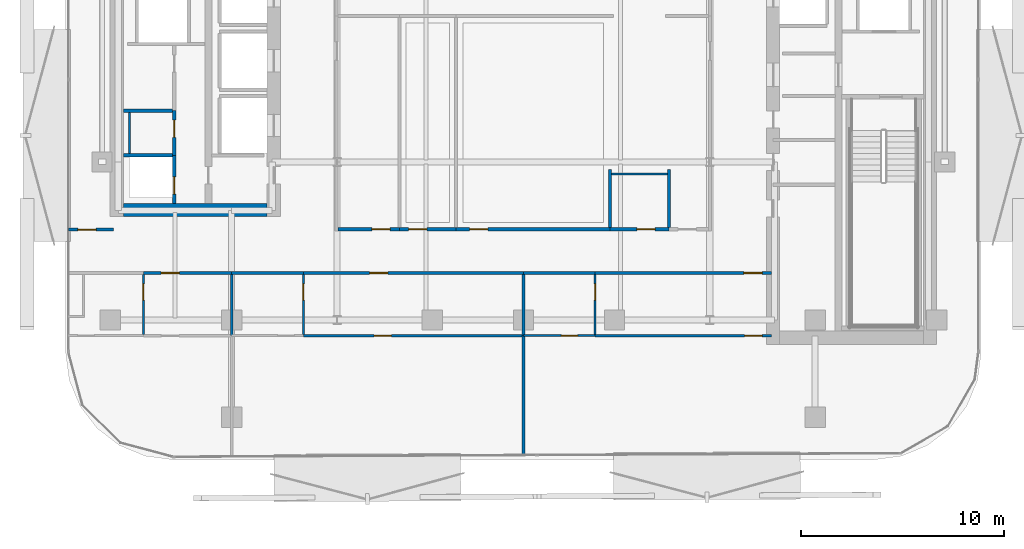
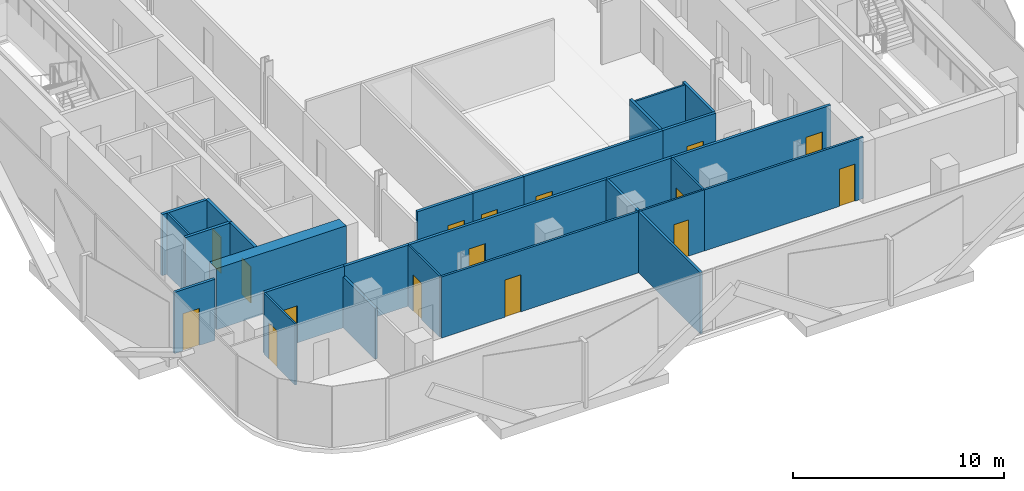
# One storey, part 3 of 17: 28 walls, 16 doors, 16 openings.
"""IFC4 building model written with IfcOpenShell, lengths in metres."""

import ifcopenshell
import ifcopenshell.guid

model = None  # the IFC model being written
_history = None  # IfcOwnerHistory: only IFC2X3 demands one
_inside = {}  # id of a spatial element -> (the spatial element, [elements in it])
_under = {}  # id of a project, library or spatial element -> (it, [spatial elements below it])
_declared = {}  # id of a project -> (the project, [libraries it declares])
_typed = {}  # id of a type object -> (the type object, [elements of that type])
_made_of = {}  # id of a material, layer set ... -> (it, [elements and type objects made of it])


def new_model(schema):
    """Start an empty IFC model of exactly this schema.

    Asked for "IFC4X3", IfcOpenShell would pick the latest addendum, in which some entities
    have other attributes; the version numbers below select the first issue.
    IFC2X3 requires an IfcOwnerHistory on every rooted entity: one is made here for all.
    """
    global model, _history
    if schema == "IFC4X3":
        model = ifcopenshell.file(schema_version=(4, 3, 0, 0))
    else:
        model = ifcopenshell.file(schema=schema)
    _inside.clear()
    _under.clear()
    _declared.clear()
    _typed.clear()
    _made_of.clear()
    _history = None
    if model.schema == "IFC2X3":
        org = make("IfcOrganization", Name="unknown")
        user = make(
            "IfcPersonAndOrganization",
            ThePerson=make("IfcPerson", FamilyName="unknown"),
            TheOrganization=org,
        )
        app = make(
            "IfcApplication",
            ApplicationDeveloper=org,
            Version="unknown",
            ApplicationFullName="unknown",
            ApplicationIdentifier="unknown",
        )
        _history = make(
            "IfcOwnerHistory",
            OwningUser=user,
            OwningApplication=app,
            ChangeAction="ADDED",
            CreationDate=0,
        )
    return model


def make(cls, **values):
    """One entity of the class cls with the attributes given. An attribute that is None is left unset."""
    return model.create_entity(
        cls, **{name: value for name, value in values.items() if value is not None}
    )


def rooted(cls, **values):
    """An entity with a GlobalId (a new one), such as an element, a storey or a relation."""
    return make(cls, GlobalId=ifcopenshell.guid.new(), OwnerHistory=_history, **values)


def si_unit(unit_type, name, prefix=None):
    """IfcSIUnit, for example si_unit("LENGTHUNIT", "METRE", prefix="MILLI")."""
    return make("IfcSIUnit", UnitType=unit_type, Prefix=prefix, Name=name)


def assignment(units):
    """IfcUnitAssignment: the units of a project."""
    return None if units is None else make("IfcUnitAssignment", Units=units)


def point(xyz):
    """IfcCartesianPoint."""
    return None if xyz is None else make("IfcCartesianPoint", Coordinates=xyz)


def direction(xyz):
    """IfcDirection."""
    return None if xyz is None else make("IfcDirection", DirectionRatios=xyz)


def frame(location, z_axis=None, x_axis=None):
    """IfcAxis2Placement3D, a coordinate frame: its origin and axes. An axis left out is left unset."""
    return make(
        "IfcAxis2Placement3D",
        Location=point(location),
        Axis=direction(z_axis),
        RefDirection=direction(x_axis),
    )


def frame_2d(location, x_axis=None):
    """IfcAxis2Placement2D, a coordinate frame in the plane: its origin and x axis."""
    return make(
        "IfcAxis2Placement2D", Location=point(location), RefDirection=direction(x_axis)
    )


def origin():
    """The frame at (0, 0, 0) with its axes left unset."""
    return frame((0.0, 0.0, 0.0))


def place(relative_to, where):
    """IfcLocalPlacement: puts the frame where relative to a parent placement (None: the world)."""
    return make(
        "IfcLocalPlacement", PlacementRelTo=relative_to, RelativePlacement=where
    )


def context(
    kind, dimensions, precision=None, world=None, true_north=None, identifier=None
):
    """IfcGeometricRepresentationContext, for example the 3D "Model" context."""
    return make(
        "IfcGeometricRepresentationContext",
        ContextIdentifier=identifier,
        ContextType=kind,
        CoordinateSpaceDimension=dimensions,
        Precision=precision,
        WorldCoordinateSystem=world,
        TrueNorth=true_north,
    )


def subcontext(parent, identifier, kind, view, scale=None):
    """IfcGeometricRepresentationSubContext, for example "Body" below "Model"."""
    return make(
        "IfcGeometricRepresentationSubContext",
        ContextIdentifier=identifier,
        ContextType=kind,
        ParentContext=parent,
        TargetScale=scale,
        TargetView=view,
    )


def project(units=None, contexts=None):
    """IfcProject with its units and contexts."""
    return rooted(
        "IfcProject",
        Name="project",
        RepresentationContexts=contexts,
        UnitsInContext=assignment(units),
    )


def spatial(cls, under=None, at=None, **own):
    """A site, building, storey or space (cls), placed at a placement, below another one or the project."""
    s = rooted(cls, ObjectPlacement=at, **own)
    if under is not None:
        _under.setdefault(under.id(), (under, []))[1].append(s)
    return s


def profile(cls, at=None, kind="AREA", **sizes):
    """A parametric profile (cls). Its sizes go by their IFC names, for example OverallWidth=200.0."""
    return make(cls, ProfileType=kind, Position=at, **sizes)


def rectangle(**sizes):
    """IfcRectangleProfileDef."""
    return profile("IfcRectangleProfileDef", **sizes)


def extrude(swept, where, along, depth):
    """IfcExtrudedAreaSolid: the profile swept, set in the frame where, extruded along a direction by depth."""
    return make(
        "IfcExtrudedAreaSolid",
        SweptArea=swept,
        Position=where,
        ExtrudedDirection=direction(along),
        Depth=depth,
    )


def shape(context_of_items, identifier, shape_type, items):
    """IfcShapeRepresentation: the items that make up one representation, for example the "Body"."""
    return make(
        "IfcShapeRepresentation",
        ContextOfItems=context_of_items,
        RepresentationIdentifier=identifier,
        RepresentationType=shape_type,
        Items=items,
    )


def material(Name=None, Category=None):
    """IfcMaterial."""
    return make("IfcMaterial", Name=Name, Category=Category)


def layer(
    of_material, thickness, ventilated=None, Name=None, Category=None, Priority=None
):
    """IfcMaterialLayer: one layer of a wall or slab, of a material (None: an air gap)."""
    return make(
        "IfcMaterialLayer",
        Material=of_material,
        LayerThickness=thickness,
        IsVentilated=ventilated,
        Name=Name,
        Category=Category,
        Priority=Priority,
    )


def layer_set(layers, Name=None):
    """IfcMaterialLayerSet."""
    return make("IfcMaterialLayerSet", MaterialLayers=layers, LayerSetName=Name)


def made_of(thing, what):
    """Note that an element or type object is made of a material, layer set ...; save() writes the relation."""
    if what is not None:
        _made_of.setdefault(what.id(), (what, []))[1].append(thing)
    return thing


def type_object(cls, material=None, **own):
    """A type object (cls), such as IfcWallType, which elements share."""
    return made_of(rooted(cls, **own), material)


def element(
    cls,
    number,
    at=None,
    inside=None,
    cuts=None,
    type_object=None,
    material=None,
    context=None,
    identifier="Body",
    shape_type=None,
    held_by="IfcProductDefinitionShape",
    body=None,
    shapes=None,
    **own,
):
    """One element of the class cls, such as IfcWall. Its Tag is "e" and its number.

    at: its placement. inside: the storey or other place that contains it. cuts: it is an
    opening in that element (IfcRelVoidsElement). A single representation is given by context,
    identifier, shape_type and body (its items); several are given by shapes. held_by: the class
    of the entity that holds the representations. save() writes the other relations.
    """
    e = rooted(cls, Tag="e%d" % number, ObjectPlacement=at, **own)
    if body is not None:
        shapes = [shape(context, identifier, shape_type, body)]
    if shapes is not None:
        e.Representation = make(held_by, Representations=shapes)
    if inside is not None:
        _inside.setdefault(inside.id(), (inside, []))[1].append(e)
    if cuts is not None:
        rooted(
            "IfcRelVoidsElement", RelatingBuildingElement=cuts, RelatedOpeningElement=e
        )
    if type_object is not None:
        _typed.setdefault(type_object.id(), (type_object, []))[1].append(e)
    return made_of(e, material)


def fill(opening, filler):
    """IfcRelFillsElement: the door or window that sits in an opening."""
    return rooted(
        "IfcRelFillsElement",
        RelatingOpeningElement=opening,
        RelatedBuildingElement=filler,
    )


def aggregate(whole, parts):
    """IfcRelAggregates: a whole, such as a stair, and the parts it consists of."""
    return rooted("IfcRelAggregates", RelatingObject=whole, RelatedObjects=parts)


def save(model, path):
    """Write the relations noted so far, then the file.

    IfcRelAggregates (storeys below a building ...), IfcRelContainedInSpatialStructure (elements
    in a storey), IfcRelDefinesByType, IfcRelAssociatesMaterial and IfcRelDeclares: one each for
    every whole, place, type object, material and project.
    """
    for whole, parts in _under.values():
        aggregate(whole, parts)
    for where, things in _inside.values():
        rooted(
            "IfcRelContainedInSpatialStructure",
            RelatedElements=things,
            RelatingStructure=where,
        )
    for kind, things in _typed.values():
        rooted("IfcRelDefinesByType", RelatedObjects=things, RelatingType=kind)
    for what, things in _made_of.values():
        rooted("IfcRelAssociatesMaterial", RelatedObjects=things, RelatingMaterial=what)
    for by, libraries in _declared.values():
        rooted("IfcRelDeclares", RelatingContext=by, RelatedDefinitions=libraries)
    model.write(path)


model = new_model("IFC4")

# Units and contexts
model_context = context("Model", 3, precision=1e-05, world=origin(), true_north=direction((0.0, 1.0)))
body_context = subcontext(model_context, "Body", "Model", "MODEL_VIEW")
ifc_project = project(units=[si_unit("LENGTHUNIT", "METRE"), si_unit("AREAUNIT", "SQUARE_METRE"), si_unit("VOLUMEUNIT", "CUBIC_METRE"), si_unit("PLANEANGLEUNIT", "RADIAN"), si_unit("MASSUNIT", "GRAM", prefix="KILO")], contexts=[model_context])

# Site, building, storey
site_placement = place(None, origin())
site = spatial("IfcSite", under=ifc_project, at=site_placement, CompositionType="ELEMENT")
building_placement = place(site_placement, origin())
building = spatial("IfcBuilding", under=site, at=building_placement, Name="Khairoan Windgate Tower", CompositionType="ELEMENT")
storey_placement = place(building_placement, frame((0.0, 0.0, 168.800048828125)))
storey = spatial("IfcBuildingStorey", under=building, at=storey_placement, Name="L38", CompositionType="ELEMENT", Elevation=168.800048828125)

# Wall, opening, door
ifc_material_1 = material(Name="Moisture-Resistant Gypsum Partition", Category="gypsum")
ifc_layer_1 = layer(ifc_material_1, 0.10009765625, Name="Moisture-Resistant Gypsum Partition")
ifc_layer_set_1 = layer_set([ifc_layer_1], Name="Moisture-Resistant Gypsum Partition")
wall_type_1 = type_object("IfcWallType", Name="Bathroom Wet-Area Partition Wall", PredefinedType="PARTITIONING", material=ifc_layer_set_1)
wall_1_placement = place(storey_placement, frame((-18.763916015625, -19.320068359375, 0.0), z_axis=(0.0, 0.0, 1.0), x_axis=(0.0, 1.0, 0.0)))
wall_1 = element("IfcWall", 1, at=wall_1_placement, inside=storey, type_object=wall_type_1, Name="L38 Interior Partition 075", PredefinedType="PARTITIONING", context=body_context, shape_type="SweptSolid", body=[
    extrude(rectangle(XDim=2.965087890625, YDim=0.10009765625, at=frame_2d((1.482421875, 0.0))), origin(), (0.0, 0.0, 1.0), 3.5400390625),
])
opening_1_placement = place(wall_1_placement, frame((1.705078125, 0.0, 0.0)))
opening_1 = element("IfcOpeningElement", 2, at=opening_1_placement, cuts=wall_1, Name="Opening ID-BTH", PredefinedType="OPENING", context=body_context, shape_type="SweptSolid", body=[
    extrude(rectangle(XDim=0.800048828125, YDim=2.10009765625, at=frame_2d((0.39990234375, 1.050048828125))), frame((0.0, 0.06005859375, 0.0), z_axis=(0.0, -1.0, 0.0), x_axis=(1.0, 0.0, 0.0)), (0.0, 0.0, 1.0), 0.1201171875),
])
ifc_material_2 = material(Name="Teak Veneer Timber Leaf", Category="wood")
door_type_1 = type_object("IfcDoorType", Name="Internal Bathroom Door ID-BTH 800x2100", OperationType="NOTDEFINED", PredefinedType="DOOR", material=ifc_material_2)
door_1_placement = place(opening_1_placement, origin())
door_1 = element("IfcDoor", 3, at=door_1_placement, inside=storey, type_object=door_type_1, Name="L38 L38-55-L38-56 Door", OperationType="SINGLE_SWING_LEFT", OverallHeight=2.10009765625, OverallWidth=0.800048828125, PredefinedType="DOOR", context=body_context, shape_type="SweptSolid", body=[
    extrude(rectangle(XDim=0.800048828125, YDim=2.10009765625, at=frame_2d((0.39990234375, 1.050048828125))), frame((0.0, 0.02490234375, 0.0), z_axis=(0.0, -1.0, 0.0), x_axis=(1.0, 0.0, 0.0)), (0.0, 0.0, 1.0), 0.050048828125),
])
fill(opening_1, door_1)

wall_2_placement = place(storey_placement, frame((-10.860107421875, -19.320068359375, 0.0), z_axis=(0.0, 0.0, 1.0), x_axis=(0.0, 1.0, 0.0)))
wall_2 = element("IfcWall", 4, at=wall_2_placement, inside=storey, type_object=wall_type_1, Name="L38 Interior Partition 080", PredefinedType="PARTITIONING", context=body_context, shape_type="SweptSolid", body=[
    extrude(rectangle(XDim=2.965087890625, YDim=0.10009765625, at=frame_2d((1.482421875, 0.0))), origin(), (0.0, 0.0, 1.0), 3.5400390625),
])
opening_2_placement = place(wall_2_placement, frame((1.705078125, 0.0, 0.0)))
opening_2 = element("IfcOpeningElement", 5, at=opening_2_placement, cuts=wall_2, Name="Opening ID-BTH", PredefinedType="OPENING", context=body_context, shape_type="SweptSolid", body=[
    extrude(rectangle(XDim=0.800048828125, YDim=2.10009765625, at=frame_2d((0.39990234375, 1.050048828125))), frame((0.0, 0.06005859375, 0.0), z_axis=(0.0, -1.0, 0.0), x_axis=(1.0, 0.0, 0.0)), (0.0, 0.0, 1.0), 0.1201171875),
])
door_2_placement = place(opening_2_placement, origin())
door_2 = element("IfcDoor", 6, at=door_2_placement, inside=storey, type_object=door_type_1, Name="L38 L38-58-L38-59 Door", OperationType="SINGLE_SWING_RIGHT", OverallHeight=2.10009765625, OverallWidth=0.800048828125, PredefinedType="DOOR", context=body_context, shape_type="SweptSolid", body=[
    extrude(rectangle(XDim=0.800048828125, YDim=2.10009765625, at=frame_2d((0.39990234375, 1.050048828125))), frame((0.0, 0.02490234375, 0.0), z_axis=(0.0, -1.0, 0.0), x_axis=(1.0, 0.0, 0.0)), (0.0, 0.0, 1.0), 0.050048828125),
])
fill(opening_2, door_2)

wall_3_placement = place(storey_placement, frame((3.5400390625, -19.320068359375, 0.0), z_axis=(0.0, 0.0, 1.0), x_axis=(0.0, 1.0, 0.0)))
wall_3 = element("IfcWall", 7, at=wall_3_placement, inside=storey, type_object=wall_type_1, Name="L38 Interior Partition 085", PredefinedType="PARTITIONING", context=body_context, shape_type="SweptSolid", body=[
    extrude(rectangle(XDim=2.965087890625, YDim=0.10009765625, at=frame_2d((1.482421875, 0.0))), origin(), (0.0, 0.0, 1.0), 3.5400390625),
])
opening_3_placement = place(wall_3_placement, frame((1.705078125, 0.0, 0.0)))
opening_3 = element("IfcOpeningElement", 8, at=opening_3_placement, cuts=wall_3, Name="Opening ID-BTH", PredefinedType="OPENING", context=body_context, shape_type="SweptSolid", body=[
    extrude(rectangle(XDim=0.800048828125, YDim=2.10009765625, at=frame_2d((0.39990234375, 1.050048828125))), frame((0.0, 0.06005859375, 0.0), z_axis=(0.0, -1.0, 0.0), x_axis=(1.0, 0.0, 0.0)), (0.0, 0.0, 1.0), 0.1201171875),
])
door_3_placement = place(opening_3_placement, origin())
door_3 = element("IfcDoor", 9, at=door_3_placement, inside=storey, type_object=door_type_1, Name="L38 L38-61-L38-62 Door", OperationType="SINGLE_SWING_LEFT", OverallHeight=2.10009765625, OverallWidth=0.800048828125, PredefinedType="DOOR", context=body_context, shape_type="SweptSolid", body=[
    extrude(rectangle(XDim=0.800048828125, YDim=2.10009765625, at=frame_2d((0.39990234375, 1.050048828125))), frame((0.0, 0.02490234375, 0.0), z_axis=(0.0, -1.0, 0.0), x_axis=(1.0, 0.0, 0.0)), (0.0, 0.0, 1.0), 0.050048828125),
])
fill(opening_3, door_3)

wall_4_placement = place(storey_placement, frame((0.0, -19.3701171875, 0.0), z_axis=(0.0, 0.0, 1.0), x_axis=(1.0, 0.0, 0.0)))
wall_4 = element("IfcWall", 10, at=wall_4_placement, inside=storey, type_object=wall_type_1, Name="L38 Interior Partition 086", PredefinedType="PARTITIONING", context=body_context, shape_type="SweptSolid", body=[
    extrude(rectangle(XDim=3.5400390625, YDim=0.10009765625, at=frame_2d((1.77001953125, 0.0))), origin(), (0.0, 0.0, 1.0), 3.5400390625),
])
opening_4_placement = place(wall_4_placement, frame((1.87548828125, 0.0, 0.0)))
opening_4 = element("IfcOpeningElement", 11, at=opening_4_placement, cuts=wall_4, Name="Opening ID-BTH", PredefinedType="OPENING", context=body_context, shape_type="SweptSolid", body=[
    extrude(rectangle(XDim=0.800048828125, YDim=2.10009765625, at=frame_2d((0.39990234375, 1.050048828125))), frame((0.0, 0.06005859375, 0.0), z_axis=(0.0, -1.0, 0.0), x_axis=(1.0, 0.0, 0.0)), (0.0, 0.0, 1.0), 0.1201171875),
])
door_4_placement = place(opening_4_placement, origin())
door_4 = element("IfcDoor", 12, at=door_4_placement, inside=storey, type_object=door_type_1, Name="L38 L38-61-L38-63 Door", OperationType="SINGLE_SWING_RIGHT", OverallHeight=2.10009765625, OverallWidth=0.800048828125, PredefinedType="DOOR", context=body_context, shape_type="SweptSolid", body=[
    extrude(rectangle(XDim=0.800048828125, YDim=2.10009765625, at=frame_2d((0.39990234375, 1.050048828125))), frame((0.0, 0.02490234375, 0.0), z_axis=(0.0, -1.0, 0.0), x_axis=(1.0, 0.0, 0.0)), (0.0, 0.0, 1.0), 0.050048828125),
])
fill(opening_4, door_4)

# Walls
wall_5_placement = place(storey_placement, frame((-19.449951171875, -10.389892578125, 0.0), z_axis=(0.0, 0.0, 1.0), x_axis=(0.0, 1.0, 0.0)))
element("IfcWall", 13, at=wall_5_placement, inside=storey, type_object=wall_type_1, Name="L38 Wet Room Side Wall 089", PredefinedType="PARTITIONING", context=body_context, shape_type="SweptSolid", body=[
    extrude(rectangle(XDim=2.039794921875, YDim=0.10009765625, at=frame_2d((1.02001953125, 0.0))), origin(), (0.0, 0.0, 1.0), 3.5400390625),
])
wall_6_placement = place(storey_placement, frame((4.35009765625, -11.39990234375, 0.0), z_axis=(0.0, 0.0, 1.0), x_axis=(1.0, 0.0, 0.0)))
element("IfcWall", 14, at=wall_6_placement, inside=storey, type_object=wall_type_1, Name="L38 Wet Room Side Wall 091", PredefinedType="PARTITIONING", context=body_context, shape_type="SweptSolid", body=[
    extrude(rectangle(XDim=2.760009765625, YDim=0.10009765625, at=frame_2d((1.3798828125, 0.0))), origin(), (0.0, 0.0, 1.0), 3.5400390625),
])
ifc_material_3 = material(Name="Acoustic Fire-Rated Gypsum Partition", Category="gypsum")
ifc_layer_2 = layer(ifc_material_3, 0.139892578125, Name="Acoustic Fire-Rated Gypsum Partition")
ifc_layer_set_2 = layer_set([ifc_layer_2], Name="Acoustic Fire-Rated Gypsum Partition")
wall_type_2 = type_object("IfcWallType", Name="Inter-Tenancy Compartment Wall", PredefinedType="PARTITIONING", material=ifc_layer_set_2)
for number, where, z_axis, x_axis, name in (
    (15, (4.280029296875, -14.044921875, 0.0), (0.0, 0.0, 1.0), (0.0, 1.0, 0.0), "L38 Interior Partition 048"),
    (16, (7.179931640625, -14.044921875, 0.0), (0.0, 0.0, 1.0), (0.0, 1.0, 0.0), "L38 Interior Partition 050"),
):
    element("IfcWall", number, at=place(storey_placement, frame(where, z_axis=z_axis, x_axis=x_axis)), inside=storey, type_object=wall_type_2, Name=name, PredefinedType="PARTITIONING", context=body_context, shape_type="SweptSolid", body=[
        extrude(rectangle(XDim=2.885009765625, YDim=0.139892578125, at=frame_2d((1.4423828125, 0.0))), origin(), (0.0, 0.0, 1.0), 3.5400390625),
    ])
wall_7_placement = place(storey_placement, frame((-14.39990234375, -19.3701171875, 0.0), z_axis=(0.0, 0.0, 1.0), x_axis=(0.0, 1.0, 0.0)))
element("IfcWall", 17, at=wall_7_placement, inside=storey, type_object=wall_type_2, Name="L38 Interior Partition 078", PredefinedType="PARTITIONING", context=body_context, shape_type="SweptSolid", body=[
    extrude(rectangle(XDim=3.01513671875, YDim=0.139892578125, at=frame_2d((1.507568359375, 0.0))), origin(), (0.0, 0.0, 1.0), 2.951904296875),
])
wall_8_placement = place(storey_placement, frame((0.0, -19.3701171875, 0.0), z_axis=(0.0, 0.0, 1.0), x_axis=(0.0, 1.0, 0.0)))
element("IfcWall", 18, at=wall_8_placement, inside=storey, type_object=wall_type_2, Name="L38 Interior Partition 083", PredefinedType="PARTITIONING", context=body_context, shape_type="SweptSolid", body=[
    extrude(rectangle(XDim=3.01513671875, YDim=0.139892578125, at=frame_2d((1.507568359375, 0.0))), origin(), (0.0, 0.0, 1.0), 3.5400390625),
])
wall_9_placement = place(storey_placement, frame((0.0, -25.269775390625, 0.0), z_axis=(0.0, 0.0, 1.0), x_axis=(0.0, 1.0, 0.0)))
element("IfcWall", 19, at=wall_9_placement, inside=storey, type_object=wall_type_2, Name="L38 Interior Partition 084", PredefinedType="PARTITIONING", context=body_context, shape_type="SweptSolid", body=[
    extrude(rectangle(XDim=5.899658203125, YDim=0.139892578125, at=frame_2d((2.94970703125, 0.0))), origin(), (0.0, 0.0, 1.0), 3.5400390625),
])

# Wall, opening, door
ifc_material_4 = material(Name="Gypsum Stud Partition", Category="gypsum")
ifc_layer_3 = layer(ifc_material_4, 0.1201171875, Name="Gypsum Stud Partition")
ifc_layer_set_3 = layer_set([ifc_layer_3], Name="Gypsum Stud Partition")
wall_type_3 = type_object("IfcWallType", Name="Internal Room Partition Wall", PredefinedType="PARTITIONING", material=ifc_layer_set_3)
wall_10_placement = place(storey_placement, frame((-10.860107421875, -19.3701171875, 0.0), z_axis=(0.0, 0.0, 1.0), x_axis=(1.0, 0.0, 0.0)))
wall_10 = element("IfcWall", 20, at=wall_10_placement, inside=storey, type_object=wall_type_3, Name="L38 Interior Partition 082", PredefinedType="PARTITIONING", context=body_context, shape_type="SweptSolid", body=[
    extrude(rectangle(XDim=10.860107421875, YDim=0.1201171875, at=frame_2d((5.43017578125, 0.0))), origin(), (0.0, 0.0, 1.0), 3.5400390625),
])
opening_5_placement = place(wall_10_placement, frame((3.48681640625, 0.0, 0.0)))
opening_5 = element("IfcOpeningElement", 21, at=opening_5_placement, cuts=wall_10, Name="Opening ID-RM", PredefinedType="OPENING", context=body_context, shape_type="SweptSolid", body=[
    extrude(rectangle(XDim=0.860107421875, YDim=2.14990234375, at=frame_2d((0.43017578125, 1.074951171875))), frame((0.0, 0.070068359375, 0.0), z_axis=(0.0, -1.0, 0.0), x_axis=(1.0, 0.0, 0.0)), (0.0, 0.0, 1.0), 0.14013671875),
])
ifc_material_5 = material(Name="Teak Veneer Timber Leaf", Category="wood")
door_type_2 = type_object("IfcDoorType", Name="Internal Bedroom and Office Door ID-RM 860x2150", OperationType="NOTDEFINED", PredefinedType="DOOR", material=ifc_material_5)
door_5_placement = place(opening_5_placement, origin())
door_5 = element("IfcDoor", 22, at=door_5_placement, inside=storey, type_object=door_type_2, Name="L38 L38-59-L38-60 Door", OperationType="SINGLE_SWING_RIGHT", OverallHeight=2.14990234375, OverallWidth=0.860107421875, PredefinedType="DOOR", context=body_context, shape_type="SweptSolid", body=[
    extrude(rectangle(XDim=0.860107421875, YDim=2.14990234375, at=frame_2d((0.43017578125, 1.074951171875))), frame((0.0, 0.02490234375, 0.0), z_axis=(0.0, -1.0, 0.0), x_axis=(1.0, 0.0, 0.0)), (0.0, 0.0, 1.0), 0.050048828125),
])
fill(opening_5, door_5)

wall_11_placement = place(storey_placement, frame((3.5400390625, -19.3701171875, 0.0), z_axis=(0.0, 0.0, 1.0), x_axis=(1.0, 0.0, 0.0)))
wall_11 = element("IfcWall", 23, at=wall_11_placement, inside=storey, type_object=wall_type_3, Name="L38 Interior Partition 087", PredefinedType="PARTITIONING", context=body_context, shape_type="SweptSolid", body=[
    extrude(rectangle(XDim=8.699951171875, YDim=0.1201171875, at=frame_2d((4.35009765625, 0.0))), origin(), (0.0, 0.0, 1.0), 3.5400390625),
])
opening_6_placement = place(wall_11_placement, frame((7.3798828125, 0.0, 0.0)))
opening_6 = element("IfcOpeningElement", 24, at=opening_6_placement, cuts=wall_11, Name="Opening ID-RM", PredefinedType="OPENING", context=body_context, shape_type="SweptSolid", body=[
    extrude(rectangle(XDim=0.860107421875, YDim=2.14990234375, at=frame_2d((0.43017578125, 1.074951171875))), frame((0.0, 0.070068359375, 0.0), z_axis=(0.0, -1.0, 0.0), x_axis=(1.0, 0.0, 0.0)), (0.0, 0.0, 1.0), 0.14013671875),
])
door_6_placement = place(opening_6_placement, origin())
door_6 = element("IfcDoor", 25, at=door_6_placement, inside=storey, type_object=door_type_2, Name="L38 L38-62-L38-63 Door", OperationType="SINGLE_SWING_LEFT", OverallHeight=2.14990234375, OverallWidth=0.860107421875, PredefinedType="DOOR", context=body_context, shape_type="SweptSolid", body=[
    extrude(rectangle(XDim=0.860107421875, YDim=2.14990234375, at=frame_2d((0.43017578125, 1.074951171875))), frame((0.0, 0.02490234375, 0.0), z_axis=(0.0, -1.0, 0.0), x_axis=(1.0, 0.0, 0.0)), (0.0, 0.0, 1.0), 0.050048828125),
])
fill(opening_6, door_6)

ifc_material_6 = material(Name="Concrete C40/50", Category="concrete")
ifc_layer_4 = layer(ifc_material_6, 0.159912109375, Name="Concrete C40/50")
ifc_layer_set_4 = layer_set([ifc_layer_4], Name="Concrete C40/50")
wall_type_4 = type_object("IfcWallType", Name="Plant and Refuge Compartment Wall", PredefinedType="PARTITIONING", material=ifc_layer_set_4)
wall_12_placement = place(storey_placement, frame((-17.22998046875, -12.85009765625, 0.0), z_axis=(0.0, 0.0, 1.0), x_axis=(0.0, 1.0, 0.0)))
wall_12 = element("IfcWall", 26, at=wall_12_placement, inside=storey, type_object=wall_type_4, Name="L38 Interior Partition 001", PredefinedType="PARTITIONING", context=body_context, shape_type="SweptSolid", body=[
    extrude(rectangle(XDim=2.380126953125, YDim=0.159912109375, at=frame_2d((1.18994140625, 0.0))), origin(), (0.0, 0.0, 1.0), 3.5400390625),
])
opening_7_placement = place(wall_12_placement, frame((0.4599609375, 0.0, 0.0)))
opening_7 = element("IfcOpeningElement", 27, at=opening_7_placement, cuts=wall_12, Name="Opening FD-SRV", PredefinedType="OPENING", context=body_context, shape_type="SweptSolid", body=[
    extrude(rectangle(XDim=0.85009765625, YDim=2.10009765625, at=frame_2d((0.425048828125, 1.050048828125))), frame((0.0, 0.08984375, 0.0), z_axis=(0.0, -1.0, 0.0), x_axis=(1.0, 0.0, 0.0)), (0.0, 0.0, 1.0), 0.179931640625),
])
ifc_material_7 = material(Name="Steel S355", Category="steel")
door_type_3 = type_object("IfcDoorType", Name="Core Service and Riser Fire Door FD-SRV 850x2100", OperationType="NOTDEFINED", PredefinedType="DOOR", material=ifc_material_7)
door_7_placement = place(opening_7_placement, origin())
door_7 = element("IfcDoor", 28, at=door_7_placement, inside=storey, type_object=door_type_3, Name="L38 L38-04-L38-05 Door", OperationType="SINGLE_SWING_RIGHT", OverallHeight=2.10009765625, OverallWidth=0.85009765625, PredefinedType="DOOR", context=body_context, shape_type="SweptSolid", body=[
    extrude(rectangle(XDim=0.85009765625, YDim=2.10009765625, at=frame_2d((0.425048828125, 1.050048828125))), frame((0.0, 0.02490234375, 0.0), z_axis=(0.0, -1.0, 0.0), x_axis=(1.0, 0.0, 0.0)), (0.0, 0.0, 1.0), 0.050048828125),
])
fill(opening_7, door_7)

wall_13_placement = place(storey_placement, frame((-17.22998046875, -10.469970703125, 0.0), z_axis=(0.0, 0.0, 1.0), x_axis=(0.0, 1.0, 0.0)))
wall_13 = element("IfcWall", 29, at=wall_13_placement, inside=storey, type_object=wall_type_4, Name="L38 Interior Partition 002", PredefinedType="PARTITIONING", context=body_context, shape_type="SweptSolid", body=[
    extrude(rectangle(XDim=2.199951171875, YDim=0.159912109375, at=frame_2d((1.10009765625, 0.0))), origin(), (0.0, 0.0, 1.0), 3.5400390625),
])
opening_8_placement = place(wall_13_placement, frame((0.889892578125, 0.0, 0.0)))
opening_8 = element("IfcOpeningElement", 30, at=opening_8_placement, cuts=wall_13, Name="Opening FD-SRV", PredefinedType="OPENING", context=body_context, shape_type="SweptSolid", body=[
    extrude(rectangle(XDim=0.85009765625, YDim=2.10009765625, at=frame_2d((0.425048828125, 1.050048828125))), frame((0.0, 0.08984375, 0.0), z_axis=(0.0, -1.0, 0.0), x_axis=(1.0, 0.0, 0.0)), (0.0, 0.0, 1.0), 0.179931640625),
])
door_8_placement = place(opening_8_placement, origin())
door_8 = element("IfcDoor", 31, at=door_8_placement, inside=storey, type_object=door_type_3, Name="L38 L38-04-L38-06 Door", OperationType="SINGLE_SWING_LEFT", OverallHeight=2.10009765625, OverallWidth=0.85009765625, PredefinedType="DOOR", context=body_context, shape_type="SweptSolid", body=[
    extrude(rectangle(XDim=0.85009765625, YDim=2.10009765625, at=frame_2d((0.425048828125, 1.050048828125))), frame((0.0, 0.02490234375, 0.0), z_axis=(0.0, -1.0, 0.0), x_axis=(1.0, 0.0, 0.0)), (0.0, 0.0, 1.0), 0.050048828125),
])
fill(opening_8, door_8)

# Walls
for number, where, z_axis, x_axis, name in (
    (32, (-19.75, -10.469970703125, 0.0), (0.0, 0.0, 1.0), (1.0, 0.0, 0.0), "L38 Interior Partition 004"),
    (33, (-19.75, -8.27001953125, 0.0), (0.0, 0.0, 1.0), (1.0, 0.0, 0.0), "L38 Interior Partition 005"),
):
    element("IfcWall", number, at=place(storey_placement, frame(where, z_axis=z_axis, x_axis=x_axis)), inside=storey, type_object=wall_type_4, Name=name, PredefinedType="PARTITIONING", context=body_context, shape_type="SweptSolid", body=[
        extrude(rectangle(XDim=2.43994140625, YDim=0.159912109375, at=frame_2d((1.219970703125, 0.0))), origin(), (0.0, 0.0, 1.0), 3.5400390625),
    ])

# Wall, opening, door
ifc_material_8 = material(Name="Acoustic Fire-Rated Gypsum Partition", Category="gypsum")
ifc_layer_5 = layer(ifc_material_8, 0.14990234375, Name="Acoustic Fire-Rated Gypsum Partition")
ifc_layer_set_5 = layer_set([ifc_layer_5], Name="Acoustic Fire-Rated Gypsum Partition")
wall_type_5 = type_object("IfcWallType", Name="Rated Corridor Partition Wall", PredefinedType="PARTITIONING", material=ifc_layer_set_5)
wall_14_placement = place(storey_placement, frame((-9.14501953125, -14.1201171875, 0.0), z_axis=(0.0, 0.0, 1.0), x_axis=(1.0, 0.0, 0.0)))
wall_14 = element("IfcWall", 34, at=wall_14_placement, inside=storey, type_object=wall_type_5, Name="L38 Interior Partition 032", PredefinedType="PARTITIONING", context=body_context, shape_type="SweptSolid", body=[
    extrude(rectangle(XDim=3.02490234375, YDim=0.14990234375, at=frame_2d((1.512451171875, 0.0))), origin(), (0.0, 0.0, 1.0), 3.5400390625),
])
opening_9_placement = place(wall_14_placement, frame((1.6650390625, 0.0, 0.0)))
opening_9 = element("IfcOpeningElement", 35, at=opening_9_placement, cuts=wall_14, Name="Opening FD-ENT", PredefinedType="OPENING", context=body_context, shape_type="SweptSolid", body=[
    extrude(rectangle(XDim=0.89990234375, YDim=2.14990234375, at=frame_2d((0.449951171875, 1.074951171875))), frame((0.0, 0.0849609375, 0.0), z_axis=(0.0, -1.0, 0.0), x_axis=(1.0, 0.0, 0.0)), (0.0, 0.0, 1.0), 0.169921875),
])
ifc_material_9 = material(Name="Timber Fire-Rated Core", Category="wood")
door_type_4 = type_object("IfcDoorType", Name="Unit and Office Fire Entrance Door FD-ENT 900x2150", OperationType="NOTDEFINED", PredefinedType="DOOR", material=ifc_material_9)
door_9_placement = place(opening_9_placement, origin())
door_9 = element("IfcDoor", 36, at=door_9_placement, inside=storey, type_object=door_type_4, Name="L38 L38-33-L38-34 Door", OperationType="SINGLE_SWING_LEFT", OverallHeight=2.14990234375, OverallWidth=0.89990234375, PredefinedType="DOOR", context=body_context, shape_type="SweptSolid", body=[
    extrude(rectangle(XDim=0.89990234375, YDim=2.14990234375, at=frame_2d((0.449951171875, 1.074951171875))), frame((0.0, 0.02490234375, 0.0), z_axis=(0.0, -1.0, 0.0), x_axis=(1.0, 0.0, 0.0)), (0.0, 0.0, 1.0), 0.050048828125),
])
fill(opening_9, door_9)

wall_15_placement = place(storey_placement, frame((-6.1201171875, -14.1201171875, 0.0), z_axis=(0.0, 0.0, 1.0), x_axis=(1.0, 0.0, 0.0)))
wall_15 = element("IfcWall", 37, at=wall_15_placement, inside=storey, type_object=wall_type_5, Name="L38 Interior Partition 033", PredefinedType="PARTITIONING", context=body_context, shape_type="SweptSolid", body=[
    extrude(rectangle(XDim=2.800048828125, YDim=0.14990234375, at=frame_2d((1.39990234375, 0.0))), origin(), (0.0, 0.0, 1.0), 3.5400390625),
])
opening_10_placement = place(wall_15_placement, frame((0.4599609375, 0.0, 0.0)))
opening_10 = element("IfcOpeningElement", 38, at=opening_10_placement, cuts=wall_15, Name="Opening FD-ENT", PredefinedType="OPENING", context=body_context, shape_type="SweptSolid", body=[
    extrude(rectangle(XDim=0.89990234375, YDim=2.14990234375, at=frame_2d((0.449951171875, 1.074951171875))), frame((0.0, 0.0849609375, 0.0), z_axis=(0.0, -1.0, 0.0), x_axis=(1.0, 0.0, 0.0)), (0.0, 0.0, 1.0), 0.169921875),
])
door_10_placement = place(opening_10_placement, origin())
door_10 = element("IfcDoor", 39, at=door_10_placement, inside=storey, type_object=door_type_4, Name="L38 L38-33-L38-35 Door", OperationType="SINGLE_SWING_RIGHT", OverallHeight=2.14990234375, OverallWidth=0.89990234375, PredefinedType="DOOR", context=body_context, shape_type="SweptSolid", body=[
    extrude(rectangle(XDim=0.89990234375, YDim=2.14990234375, at=frame_2d((0.449951171875, 1.074951171875))), frame((0.0, 0.02490234375, 0.0), z_axis=(0.0, -1.0, 0.0), x_axis=(1.0, 0.0, 0.0)), (0.0, 0.0, 1.0), 0.050048828125),
])
fill(opening_10, door_10)

wall_16_placement = place(storey_placement, frame((-3.320068359375, -14.1201171875, 0.0), z_axis=(0.0, 0.0, 1.0), x_axis=(1.0, 0.0, 0.0)))
wall_16 = element("IfcWall", 40, at=wall_16_placement, inside=storey, type_object=wall_type_5, Name="L38 Interior Partition 034", PredefinedType="PARTITIONING", context=body_context, shape_type="SweptSolid", body=[
    extrude(rectangle(XDim=7.60009765625, YDim=0.14990234375, at=frame_2d((3.800048828125, 0.0))), origin(), (0.0, 0.0, 1.0), 3.5400390625),
])
opening_11_placement = place(wall_16_placement, frame((0.66650390625, 0.0, 0.0)))
opening_11 = element("IfcOpeningElement", 41, at=opening_11_placement, cuts=wall_16, Name="Opening FD-ENT", PredefinedType="OPENING", context=body_context, shape_type="SweptSolid", body=[
    extrude(rectangle(XDim=0.89990234375, YDim=2.14990234375, at=frame_2d((0.449951171875, 1.074951171875))), frame((0.0, 0.0849609375, 0.0), z_axis=(0.0, -1.0, 0.0), x_axis=(1.0, 0.0, 0.0)), (0.0, 0.0, 1.0), 0.169921875),
])
door_11_placement = place(opening_11_placement, origin())
door_11 = element("IfcDoor", 42, at=door_11_placement, inside=storey, type_object=door_type_4, Name="L38 L38-33-L38-36 Door", OperationType="SINGLE_SWING_LEFT", OverallHeight=2.14990234375, OverallWidth=0.89990234375, PredefinedType="DOOR", context=body_context, shape_type="SweptSolid", body=[
    extrude(rectangle(XDim=0.89990234375, YDim=2.14990234375, at=frame_2d((0.449951171875, 1.074951171875))), frame((0.0, 0.02490234375, 0.0), z_axis=(0.0, -1.0, 0.0), x_axis=(1.0, 0.0, 0.0)), (0.0, 0.0, 1.0), 0.050048828125),
])
fill(opening_11, door_11)

wall_17_placement = place(storey_placement, frame((4.280029296875, -14.1201171875, 0.0), z_axis=(0.0, 0.0, 1.0), x_axis=(1.0, 0.0, 0.0)))
wall_17 = element("IfcWall", 43, at=wall_17_placement, inside=storey, type_object=wall_type_5, Name="L38 Interior Partition 035", PredefinedType="PARTITIONING", context=body_context, shape_type="SweptSolid", body=[
    extrude(rectangle(XDim=2.89990234375, YDim=0.14990234375, at=frame_2d((1.449951171875, 0.0))), origin(), (0.0, 0.0, 1.0), 3.5400390625),
])
opening_12_placement = place(wall_17_placement, frame((1.323974609375, 0.0, 0.0)))
opening_12 = element("IfcOpeningElement", 44, at=opening_12_placement, cuts=wall_17, Name="Opening FD-ENT", PredefinedType="OPENING", context=body_context, shape_type="SweptSolid", body=[
    extrude(rectangle(XDim=0.89990234375, YDim=2.14990234375, at=frame_2d((0.449951171875, 1.074951171875))), frame((0.0, 0.0849609375, 0.0), z_axis=(0.0, -1.0, 0.0), x_axis=(1.0, 0.0, 0.0)), (0.0, 0.0, 1.0), 0.169921875),
])
door_12_placement = place(opening_12_placement, origin())
door_12 = element("IfcDoor", 45, at=door_12_placement, inside=storey, type_object=door_type_4, Name="L38 L38-33-L38-37 Door", OperationType="SINGLE_SWING_RIGHT", OverallHeight=2.14990234375, OverallWidth=0.89990234375, PredefinedType="DOOR", context=body_context, shape_type="SweptSolid", body=[
    extrude(rectangle(XDim=0.89990234375, YDim=2.14990234375, at=frame_2d((0.449951171875, 1.074951171875))), frame((0.0, 0.02490234375, 0.0), z_axis=(0.0, -1.0, 0.0), x_axis=(1.0, 0.0, 0.0)), (0.0, 0.0, 1.0), 0.050048828125),
])
fill(opening_12, door_12)

wall_18_placement = place(storey_placement, frame((-18.763916015625, -16.280029296875, 0.0), z_axis=(0.0, 0.0, 1.0), x_axis=(1.0, 0.0, 0.0)))
wall_18 = element("IfcWall", 46, at=wall_18_placement, inside=storey, type_object=wall_type_5, Name="L38 Interior Partition 038", PredefinedType="PARTITIONING", context=body_context, shape_type="SweptSolid", body=[
    extrude(rectangle(XDim=4.364013671875, YDim=0.14990234375, at=frame_2d((2.18212890625, 0.0))), origin(), (0.0, 0.0, 1.0), 3.5400390625),
])
opening_13_placement = place(wall_18_placement, frame((0.884033203125, 0.0, 0.0)))
opening_13 = element("IfcOpeningElement", 47, at=opening_13_placement, cuts=wall_18, Name="Opening FD-ENT", PredefinedType="OPENING", context=body_context, shape_type="SweptSolid", body=[
    extrude(rectangle(XDim=0.89990234375, YDim=2.14990234375, at=frame_2d((0.449951171875, 1.074951171875))), frame((0.0, 0.0849609375, 0.0), z_axis=(0.0, -1.0, 0.0), x_axis=(1.0, 0.0, 0.0)), (0.0, 0.0, 1.0), 0.169921875),
])
door_13_placement = place(opening_13_placement, origin())
door_13 = element("IfcDoor", 48, at=door_13_placement, inside=storey, type_object=door_type_4, Name="L38 L38-33-L38-56 Door", OperationType="SINGLE_SWING_RIGHT", OverallHeight=2.14990234375, OverallWidth=0.89990234375, PredefinedType="DOOR", context=body_context, shape_type="SweptSolid", body=[
    extrude(rectangle(XDim=0.89990234375, YDim=2.14990234375, at=frame_2d((0.449951171875, 1.074951171875))), frame((0.0, 0.02490234375, 0.0), z_axis=(0.0, -1.0, 0.0), x_axis=(1.0, 0.0, 0.0)), (0.0, 0.0, 1.0), 0.050048828125),
])
fill(opening_13, door_13)

# Wall
wall_19_placement = place(storey_placement, frame((-14.39990234375, -16.280029296875, 0.0), z_axis=(0.0, 0.0, 1.0), x_axis=(1.0, 0.0, 0.0)))
element("IfcWall", 49, at=wall_19_placement, inside=storey, type_object=wall_type_5, Name="L38 Interior Partition 039", PredefinedType="PARTITIONING", context=body_context, shape_type="SweptSolid", body=[
    extrude(rectangle(XDim=3.539794921875, YDim=0.14990234375, at=frame_2d((1.77001953125, 0.0))), origin(), (0.0, 0.0, 1.0), 3.5400390625),
])

# Wall, opening, door
wall_20_placement = place(storey_placement, frame((-10.860107421875, -16.280029296875, 0.0), z_axis=(0.0, 0.0, 1.0), x_axis=(1.0, 0.0, 0.0)))
wall_20 = element("IfcWall", 50, at=wall_20_placement, inside=storey, type_object=wall_type_5, Name="L38 Interior Partition 040", PredefinedType="PARTITIONING", context=body_context, shape_type="SweptSolid", body=[
    extrude(rectangle(XDim=10.860107421875, YDim=0.14990234375, at=frame_2d((5.43017578125, 0.0))), origin(), (0.0, 0.0, 1.0), 3.5400390625),
])
opening_14_placement = place(wall_20_placement, frame((3.2724609375, 0.0, 0.0)))
opening_14 = element("IfcOpeningElement", 51, at=opening_14_placement, cuts=wall_20, Name="Opening FD-ENT", PredefinedType="OPENING", context=body_context, shape_type="SweptSolid", body=[
    extrude(rectangle(XDim=0.89990234375, YDim=2.14990234375, at=frame_2d((0.449951171875, 1.074951171875))), frame((0.0, 0.0849609375, 0.0), z_axis=(0.0, -1.0, 0.0), x_axis=(1.0, 0.0, 0.0)), (0.0, 0.0, 1.0), 0.169921875),
])
door_14_placement = place(opening_14_placement, origin())
door_14 = element("IfcDoor", 52, at=door_14_placement, inside=storey, type_object=door_type_4, Name="L38 L38-33-L38-59 Door", OperationType="SINGLE_SWING_LEFT", OverallHeight=2.14990234375, OverallWidth=0.89990234375, PredefinedType="DOOR", context=body_context, shape_type="SweptSolid", body=[
    extrude(rectangle(XDim=0.89990234375, YDim=2.14990234375, at=frame_2d((0.449951171875, 1.074951171875))), frame((0.0, 0.02490234375, 0.0), z_axis=(0.0, -1.0, 0.0), x_axis=(1.0, 0.0, 0.0)), (0.0, 0.0, 1.0), 0.050048828125),
])
fill(opening_14, door_14)

# Wall
wall_21_placement = place(storey_placement, frame((0.0, -16.280029296875, 0.0), z_axis=(0.0, 0.0, 1.0), x_axis=(1.0, 0.0, 0.0)))
element("IfcWall", 53, at=wall_21_placement, inside=storey, type_object=wall_type_5, Name="L38 Interior Partition 041", PredefinedType="PARTITIONING", context=body_context, shape_type="SweptSolid", body=[
    extrude(rectangle(XDim=3.5400390625, YDim=0.14990234375, at=frame_2d((1.77001953125, 0.0))), origin(), (0.0, 0.0, 1.0), 3.5400390625),
])

# Wall, opening, door
wall_22_placement = place(storey_placement, frame((3.5400390625, -16.280029296875, 0.0), z_axis=(0.0, 0.0, 1.0), x_axis=(1.0, 0.0, 0.0)))
wall_22 = element("IfcWall", 54, at=wall_22_placement, inside=storey, type_object=wall_type_5, Name="L38 Interior Partition 042", PredefinedType="PARTITIONING", context=body_context, shape_type="SweptSolid", body=[
    extrude(rectangle(XDim=8.699951171875, YDim=0.14990234375, at=frame_2d((4.35009765625, 0.0))), origin(), (0.0, 0.0, 1.0), 3.5400390625),
])
opening_15_placement = place(wall_22_placement, frame((7.340087890625, 0.0, 0.0)))
opening_15 = element("IfcOpeningElement", 55, at=opening_15_placement, cuts=wall_22, Name="Opening FD-ENT", PredefinedType="OPENING", context=body_context, shape_type="SweptSolid", body=[
    extrude(rectangle(XDim=0.89990234375, YDim=2.14990234375, at=frame_2d((0.449951171875, 1.074951171875))), frame((0.0, 0.0849609375, 0.0), z_axis=(0.0, -1.0, 0.0), x_axis=(1.0, 0.0, 0.0)), (0.0, 0.0, 1.0), 0.169921875),
])
door_15_placement = place(opening_15_placement, origin())
door_15 = element("IfcDoor", 56, at=door_15_placement, inside=storey, type_object=door_type_4, Name="L38 L38-33-L38-62 Door", OperationType="SINGLE_SWING_RIGHT", OverallHeight=2.14990234375, OverallWidth=0.89990234375, PredefinedType="DOOR", context=body_context, shape_type="SweptSolid", body=[
    extrude(rectangle(XDim=0.89990234375, YDim=2.14990234375, at=frame_2d((0.449951171875, 1.074951171875))), frame((0.0, 0.02490234375, 0.0), z_axis=(0.0, -1.0, 0.0), x_axis=(1.0, 0.0, 0.0)), (0.0, 0.0, 1.0), 0.050048828125),
])
fill(opening_15, door_15)

wall_23_placement = place(storey_placement, frame((-22.455078125, -14.139892578125, 0.0), z_axis=(0.0, 0.0, 1.0), x_axis=(1.0, 0.0, 0.0)))
wall_23 = element("IfcWall", 57, at=wall_23_placement, inside=storey, type_object=wall_type_5, Name="L38 Interior Partition 043", PredefinedType="PARTITIONING", context=body_context, shape_type="SweptSolid", body=[
    extrude(rectangle(XDim=2.215087890625, YDim=0.14990234375, at=frame_2d((1.107421875, 0.0))), origin(), (0.0, 0.0, 1.0), 3.5400390625),
])
opening_16_placement = place(wall_23_placement, frame((0.4599609375, 0.0, 0.0)))
opening_16 = element("IfcOpeningElement", 58, at=opening_16_placement, cuts=wall_23, Name="Opening FD-ENT", PredefinedType="OPENING", context=body_context, shape_type="SweptSolid", body=[
    extrude(rectangle(XDim=0.89990234375, YDim=2.14990234375, at=frame_2d((0.449951171875, 1.074951171875))), frame((0.0, 0.0849609375, 0.0), z_axis=(0.0, -1.0, 0.0), x_axis=(1.0, 0.0, 0.0)), (0.0, 0.0, 1.0), 0.169921875),
])
door_16_placement = place(opening_16_placement, origin())
door_16 = element("IfcDoor", 59, at=door_16_placement, inside=storey, type_object=door_type_4, Name="L38 L38-33-L38-65 Door", OperationType="SINGLE_SWING_LEFT", OverallHeight=2.14990234375, OverallWidth=0.89990234375, PredefinedType="DOOR", context=body_context, shape_type="SweptSolid", body=[
    extrude(rectangle(XDim=0.89990234375, YDim=2.14990234375, at=frame_2d((0.449951171875, 1.074951171875))), frame((0.0, 0.02490234375, 0.0), z_axis=(0.0, -1.0, 0.0), x_axis=(1.0, 0.0, 0.0)), (0.0, 0.0, 1.0), 0.050048828125),
])
fill(opening_16, door_16)

# Wall
ifc_material_10 = material(Name="Concrete C60/75", Category="concrete")
ifc_layer_6 = layer(ifc_material_10, 0.64990234375, Name="Concrete C60/75")
ifc_layer_set_6 = layer_set([ifc_layer_6], Name="Concrete C60/75")
wall_type_6 = type_object("IfcWallType", Name="Shear Wall CW-W2 650mm", PredefinedType="SHEAR", material=ifc_layer_set_6)
wall_24_placement = place(storey_placement, frame((-19.75, -13.175048828125, 0.0), z_axis=(0.0, 0.0, 1.0), x_axis=(1.0, 0.0, 0.0)))
element("IfcWall", 60, at=wall_24_placement, inside=storey, type_object=wall_type_6, Name="W Core South Shear Wall L38", PredefinedType="SHEAR", context=body_context, shape_type="SweptSolid", body=[
    extrude(rectangle(XDim=7.10009765625, YDim=0.64990234375, at=frame_2d((3.550048828125, 0.0))), origin(), (0.0, 0.0, 1.0), 3.5400390625),
])

save(model, "model.ifc")
